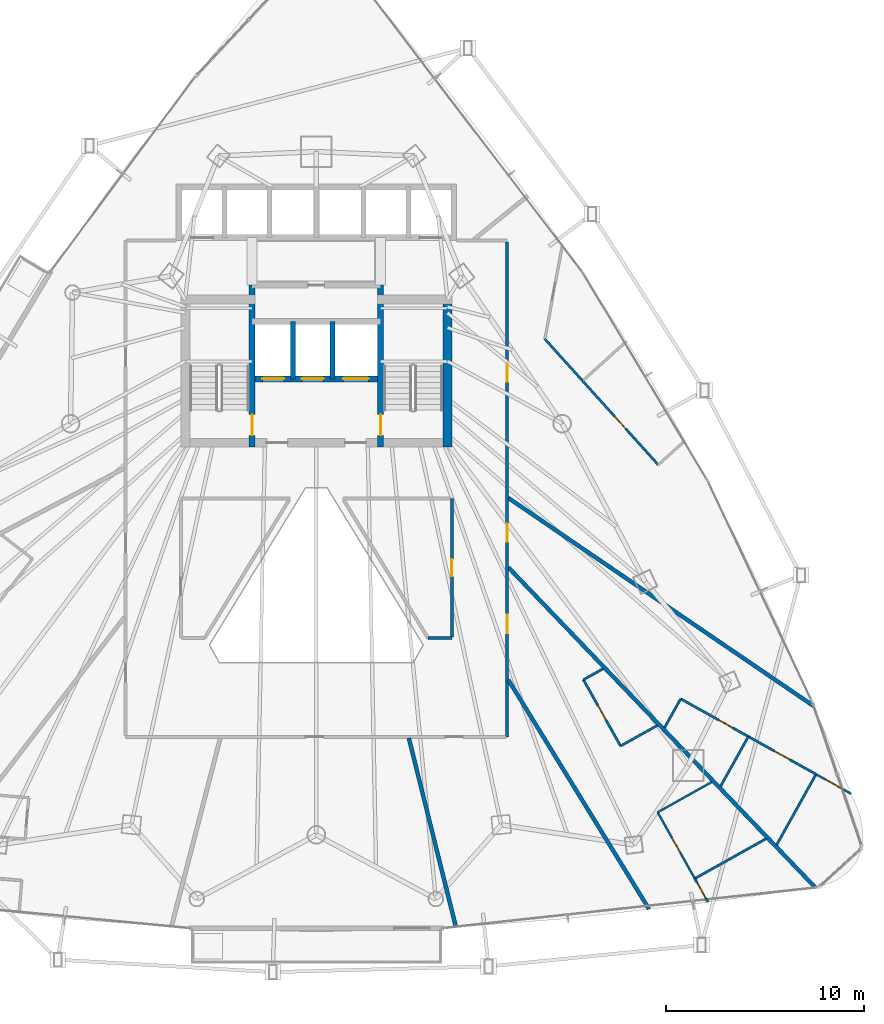
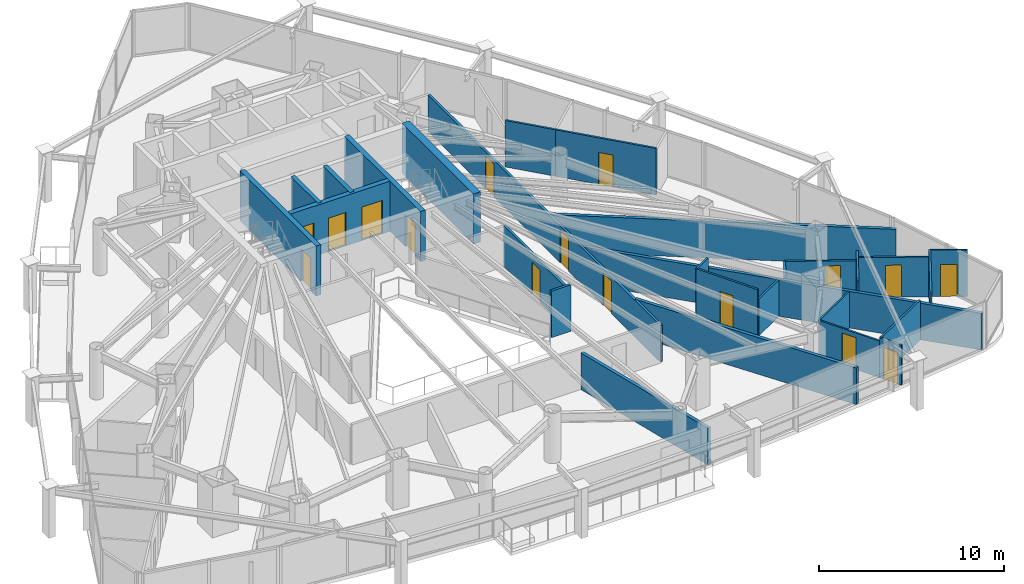
# One storey, part 30 of 34: 28 walls, 16 doors, 16 openings.
"""IFC4 building model written with IfcOpenShell, lengths in metres."""

from ifc_helpers import new_model, si_unit, direction, frame, frame_2d, origin, place, context, subcontext, project, spatial, rectangle, extrude, material, layer, layer_set, type_object, element, fill, save


model = new_model("IFC4")

# Units and contexts
model_context = context("Model", 3, precision=1e-05, world=origin(), true_north=direction((0.0, 1.0)))
body_context = subcontext(model_context, "Body", "Model", "MODEL_VIEW")
ifc_project = project(units=[si_unit("LENGTHUNIT", "METRE"), si_unit("AREAUNIT", "SQUARE_METRE"), si_unit("VOLUMEUNIT", "CUBIC_METRE"), si_unit("PLANEANGLEUNIT", "RADIAN"), si_unit("MASSUNIT", "GRAM", prefix="KILO")], contexts=[model_context])

# Site, building, storey
site_placement = place(None, origin())
site = spatial("IfcSite", under=ifc_project, at=site_placement, CompositionType="ELEMENT")
building_placement = place(site_placement, origin())
building = spatial("IfcBuilding", under=site, at=building_placement, Name="Orvanel Arch Residences", CompositionType="ELEMENT")
storey_placement = place(building_placement, frame((0.0, 0.0, 80.75)))
storey = spatial("IfcBuildingStorey", under=building, at=storey_placement, Name="L22", CompositionType="ELEMENT", Elevation=80.75)

# Walls
ifc_material_1 = material(Name="Concrete N50 (50 MPa)", Category="concrete")
ifc_layer_1 = layer(ifc_material_1, 0.25)
ifc_layer_set_1 = layer_set([ifc_layer_1], Name="Concrete N50 (50 MPa)")
wall_type_1 = type_object("IfcWallType", Name="SW-CORE-250", PredefinedType="SHEAR", material=ifc_layer_set_1)
for number, where, z_axis, x_axis, name in (
    (1, (31.824951171875, 29.89990234375, 0.0), (0.0, 0.0, 1.0), (0.0, 1.0, 0.0), "L22 Emergency Lift Inter-Shaft Wall F12"),
    (2, (33.824951171875, 29.89990234375, 0.0), (0.0, 0.0, 1.0), (0.0, 1.0, 0.0), "L22 Emergency Lift Inter-Shaft Wall F2G"),
):
    element("IfcWall", number, at=place(storey_placement, frame(where, z_axis=z_axis, x_axis=x_axis)), inside=storey, type_object=wall_type_1, Name=name, PredefinedType="SHEAR", context=body_context, shape_type="SweptSolid", body=[
        extrude(rectangle(XDim=2.900146484375, YDim=0.25, at=frame_2d((1.4501953125, 0.0))), origin(), (0.0, 0.0, 1.0), 3.300048828125),
    ])

# Wall, opening, door
ifc_material_2 = material(Name="Concrete S80 (80 MPa)", Category="concrete")
ifc_layer_2 = layer(ifc_material_2, 0.300048828125)
ifc_layer_set_2 = layer_set([ifc_layer_2], Name="Concrete S80 (80 MPa)")
wall_type_2 = type_object("IfcWallType", Name="SW-CORE-300", PredefinedType="SHEAR", material=ifc_layer_set_2)
wall_1_placement = place(storey_placement, frame((29.75, 26.449951171875, 0.0), z_axis=(0.0, 0.0, 1.0), x_axis=(0.0, 1.0, 0.0)))
wall_1 = element("IfcWall", 3, at=wall_1_placement, inside=storey, type_object=wall_type_2, Name="L22 West Inner Core Spine Shear Wall", PredefinedType="SHEAR", context=body_context, shape_type="SweptSolid", body=[
    extrude(rectangle(XDim=8.199951171875, YDim=0.300048828125, at=frame_2d((4.10009765625, 0.0))), origin(), (0.0, 0.0, 1.0), 3.300048828125),
])
opening_1_placement = place(wall_1_placement, frame((0.60009765625, 0.0, 0.0)))
opening_1 = element("IfcOpeningElement", 4, at=opening_1_placement, cuts=wall_1, Name="Opening DF-120", PredefinedType="OPENING", context=body_context, shape_type="SweptSolid", body=[
    extrude(rectangle(XDim=1.050048828125, YDim=2.14990234375, at=frame_2d((0.52490234375, 1.074951171875))), frame((0.0, 0.159912109375, 0.0), z_axis=(0.0, -1.0, 0.0), x_axis=(1.0, 0.0, 0.0)), (0.0, 0.0, 1.0), 0.320068359375),
])
ifc_material_3 = material(Name="Galvanised steel fire-resisting door assembly", Category="steel")
door_type_1 = type_object("IfcDoorType", Name="DR-FD120-1050", OperationType="NOTDEFINED", PredefinedType="DOOR", material=ifc_material_3)
door_1_placement = place(opening_1_placement, origin())
door_1 = element("IfcDoor", 5, at=door_1_placement, inside=storey, type_object=door_type_1, Name="DR-L22-ST1 L22 Stair 1 Fire Door", OperationType="SINGLE_SWING_LEFT", OverallHeight=2.14990234375, OverallWidth=1.050048828125, PredefinedType="DOOR", context=body_context, shape_type="SweptSolid", body=[
    extrude(rectangle(XDim=1.050048828125, YDim=2.14990234375, at=frame_2d((0.52490234375, 1.074951171875))), frame((0.0, 0.02490234375, 0.0), z_axis=(0.0, -1.0, 0.0), x_axis=(1.0, 0.0, 0.0)), (0.0, 0.0, 1.0), 0.050048828125),
])
fill(opening_1, door_1)

wall_2_placement = place(storey_placement, frame((36.25, 26.449951171875, 0.0), z_axis=(0.0, 0.0, 1.0), x_axis=(0.0, 1.0, 0.0)))
wall_2 = element("IfcWall", 6, at=wall_2_placement, inside=storey, type_object=wall_type_2, Name="L22 East Inner Core Spine Shear Wall", PredefinedType="SHEAR", context=body_context, shape_type="SweptSolid", body=[
    extrude(rectangle(XDim=8.199951171875, YDim=0.300048828125, at=frame_2d((4.10009765625, 0.0))), origin(), (0.0, 0.0, 1.0), 3.300048828125),
])
opening_2_placement = place(wall_2_placement, frame((0.60009765625, 0.0, 0.0)))
opening_2 = element("IfcOpeningElement", 7, at=opening_2_placement, cuts=wall_2, Name="Opening DF-120", PredefinedType="OPENING", context=body_context, shape_type="SweptSolid", body=[
    extrude(rectangle(XDim=1.050048828125, YDim=2.14990234375, at=frame_2d((0.52490234375, 1.074951171875))), frame((0.0, 0.159912109375, 0.0), z_axis=(0.0, -1.0, 0.0), x_axis=(1.0, 0.0, 0.0)), (0.0, 0.0, 1.0), 0.320068359375),
])
door_2_placement = place(opening_2_placement, origin())
door_2 = element("IfcDoor", 8, at=door_2_placement, inside=storey, type_object=door_type_1, Name="DR-L22-ST2 L22 Stair 2 Fire Door", OperationType="SINGLE_SWING_RIGHT", OverallHeight=2.14990234375, OverallWidth=1.050048828125, PredefinedType="DOOR", context=body_context, shape_type="SweptSolid", body=[
    extrude(rectangle(XDim=1.050048828125, YDim=2.14990234375, at=frame_2d((0.52490234375, 1.074951171875))), frame((0.0, 0.02490234375, 0.0), z_axis=(0.0, -1.0, 0.0), x_axis=(1.0, 0.0, 0.0)), (0.0, 0.0, 1.0), 0.050048828125),
])
fill(opening_2, door_2)

# Wall, openings, doors
wall_3_placement = place(storey_placement, frame((36.25, 29.89990234375, 0.0), z_axis=(0.0, 0.0, 1.0), x_axis=(-1.0, 0.0, 0.0)))
wall_3 = element("IfcWall", 9, at=wall_3_placement, inside=storey, type_object=wall_type_2, Name="L22 Emergency Lift Front Core Shear Wall", PredefinedType="SHEAR", context=body_context, shape_type="SweptSolid", body=[
    extrude(rectangle(XDim=6.5, YDim=0.300048828125, at=frame_2d((3.25, 0.0))), origin(), (0.0, 0.0, 1.0), 3.300048828125),
])
opening_3_placement = place(wall_3_placement, frame((4.875, 0.0, 0.0)))
opening_3 = element("IfcOpeningElement", 10, at=opening_3_placement, cuts=wall_3, Name="Opening LD-110", PredefinedType="OPENING", context=body_context, shape_type="SweptSolid", body=[
    extrude(rectangle(XDim=1.10009765625, YDim=2.199951171875, at=frame_2d((0.550048828125, 1.10009765625))), frame((0.0, 0.159912109375, 0.0), z_axis=(0.0, -1.0, 0.0), x_axis=(1.0, 0.0, 0.0)), (0.0, 0.0, 1.0), 0.320068359375),
])
opening_4_placement = place(wall_3_placement, frame((2.875, 0.0, 0.0)))
opening_4 = element("IfcOpeningElement", 11, at=opening_4_placement, cuts=wall_3, Name="Opening LD-110", PredefinedType="OPENING", context=body_context, shape_type="SweptSolid", body=[
    extrude(rectangle(XDim=1.10009765625, YDim=2.199951171875, at=frame_2d((0.550048828125, 1.10009765625))), frame((0.0, 0.159912109375, 0.0), z_axis=(0.0, -1.0, 0.0), x_axis=(1.0, 0.0, 0.0)), (0.0, 0.0, 1.0), 0.320068359375),
])
opening_5_placement = place(wall_3_placement, frame((0.60009765625, 0.0, 0.0)))
opening_5 = element("IfcOpeningElement", 12, at=opening_5_placement, cuts=wall_3, Name="Opening LD-130", PredefinedType="OPENING", context=body_context, shape_type="SweptSolid", body=[
    extrude(rectangle(XDim=1.300048828125, YDim=2.199951171875, at=frame_2d((0.64990234375, 1.10009765625))), frame((0.0, 0.159912109375, 0.0), z_axis=(0.0, -1.0, 0.0), x_axis=(1.0, 0.0, 0.0)), (0.0, 0.0, 1.0), 0.320068359375),
])
door_type_2 = type_object("IfcDoorType", Name="DR-LFT-1100", OperationType="NOTDEFINED", PredefinedType="DOOR", material=ifc_material_3)
door_3_placement = place(opening_3_placement, origin())
door_3 = element("IfcDoor", 13, at=door_3_placement, inside=storey, type_object=door_type_2, Name="LD-F1-L22 L22 Lift F1 Sliding Landing Door", OperationType="DOUBLE_DOOR_SLIDING", OverallHeight=2.199951171875, OverallWidth=1.10009765625, PredefinedType="DOOR", context=body_context, shape_type="SweptSolid", body=[
    extrude(rectangle(XDim=1.10009765625, YDim=2.199951171875, at=frame_2d((0.550048828125, 1.10009765625))), frame((0.0, 0.02490234375, 0.0), z_axis=(0.0, -1.0, 0.0), x_axis=(1.0, 0.0, 0.0)), (0.0, 0.0, 1.0), 0.050048828125),
])
fill(opening_3, door_3)
door_4_placement = place(opening_4_placement, origin())
door_4 = element("IfcDoor", 14, at=door_4_placement, inside=storey, type_object=door_type_2, Name="LD-F2-L22 L22 Lift F2 Sliding Landing Door", OperationType="DOUBLE_DOOR_SLIDING", OverallHeight=2.199951171875, OverallWidth=1.10009765625, PredefinedType="DOOR", context=body_context, shape_type="SweptSolid", body=[
    extrude(rectangle(XDim=1.10009765625, YDim=2.199951171875, at=frame_2d((0.550048828125, 1.10009765625))), frame((0.0, 0.02490234375, 0.0), z_axis=(0.0, -1.0, 0.0), x_axis=(1.0, 0.0, 0.0)), (0.0, 0.0, 1.0), 0.050048828125),
])
fill(opening_4, door_4)
door_type_3 = type_object("IfcDoorType", Name="DR-LFT-1300", OperationType="NOTDEFINED", PredefinedType="DOOR", material=ifc_material_3)
door_5_placement = place(opening_5_placement, origin())
door_5 = element("IfcDoor", 15, at=door_5_placement, inside=storey, type_object=door_type_3, Name="LD-G1-L22 L22 Lift G1 Sliding Landing Door", OperationType="DOUBLE_DOOR_SLIDING", OverallHeight=2.199951171875, OverallWidth=1.300048828125, PredefinedType="DOOR", context=body_context, shape_type="SweptSolid", body=[
    extrude(rectangle(XDim=1.300048828125, YDim=2.199951171875, at=frame_2d((0.64990234375, 1.10009765625))), frame((0.0, 0.02490234375, 0.0), z_axis=(0.0, -1.0, 0.0), x_axis=(1.0, 0.0, 0.0)), (0.0, 0.0, 1.0), 0.050048828125),
])
fill(opening_5, door_5)

# Wall
ifc_layer_3 = layer(ifc_material_2, 0.449951171875)
ifc_layer_set_3 = layer_set([ifc_layer_3], Name="Concrete S80 (80 MPa)")
wall_type_3 = type_object("IfcWallType", Name="SW-CORE-450", PredefinedType="SHEAR", material=ifc_layer_set_3)
wall_4_placement = place(storey_placement, frame((39.625, 26.449951171875, 0.0), z_axis=(0.0, 0.0, 1.0), x_axis=(0.0, 1.0, 0.0)))
element("IfcWall", 16, at=wall_4_placement, inside=storey, type_object=wall_type_3, Name="L22 East Stair Shear Wall", PredefinedType="SHEAR", context=body_context, shape_type="SweptSolid", body=[
    extrude(rectangle(XDim=7.699951171875, YDim=0.449951171875, at=frame_2d((3.85009765625, 0.0))), origin(), (0.0, 0.0, 1.0), 3.300048828125),
])

# Wall, openings, doors
ifc_material_4 = material(Name="Fire-rated plasterboard lined steel stud partition", Category="steel")
ifc_layer_4 = layer(ifc_material_4, 0.14990234375)
ifc_layer_set_4 = layer_set([ifc_layer_4], Name="Fire-rated plasterboard lined steel stud partition")
wall_type_4 = type_object("IfcWallType", Name="W-COR-150", PredefinedType="PARTITIONING", material=ifc_layer_set_4)
wall_5_placement = place(storey_placement, frame((42.64990234375, 36.840087890625, 0.0), z_axis=(0.0, 0.0, 1.0), x_axis=(0.0, -1.0, 0.0)))
wall_5 = element("IfcWall", 17, at=wall_5_placement, inside=storey, type_object=wall_type_4, Name="L22 Corridor Fire-Rated Partition", PredefinedType="PARTITIONING", context=body_context, shape_type="SweptSolid", body=[
    extrude(rectangle(XDim=25.0400390625, YDim=0.14990234375, at=frame_2d((12.52001953125, 0.0))), origin(), (0.0, 0.0, 1.0), 2.4130859375),
])
opening_6_placement = place(wall_5_placement, frame((6.1708984375, 0.0, 0.0)))
opening_6 = element("IfcOpeningElement", 18, at=opening_6_placement, cuts=wall_5, Name="Opening DA-092", PredefinedType="OPENING", context=body_context, shape_type="SweptSolid", body=[
    extrude(rectangle(XDim=0.919921875, YDim=2.14990234375, at=frame_2d((0.4599609375, 1.074951171875))), frame((0.0, 0.0849609375, 0.0), z_axis=(0.0, -1.0, 0.0), x_axis=(1.0, 0.0, 0.0)), (0.0, 0.0, 1.0), 0.169921875),
])
opening_7_placement = place(wall_5_placement, frame((14.2490234375, 0.0, 0.0)))
opening_7 = element("IfcOpeningElement", 19, at=opening_7_placement, cuts=wall_5, Name="Opening DA-092", PredefinedType="OPENING", context=body_context, shape_type="SweptSolid", body=[
    extrude(rectangle(XDim=0.919921875, YDim=2.14990234375, at=frame_2d((0.4599609375, 1.074951171875))), frame((0.0, 0.0849609375, 0.0), z_axis=(0.0, -1.0, 0.0), x_axis=(1.0, 0.0, 0.0)), (0.0, 0.0, 1.0), 0.169921875),
])
opening_8_placement = place(wall_5_placement, frame((18.8720703125, 0.0, 0.0)))
opening_8 = element("IfcOpeningElement", 20, at=opening_8_placement, cuts=wall_5, Name="Opening DA-092", PredefinedType="OPENING", context=body_context, shape_type="SweptSolid", body=[
    extrude(rectangle(XDim=0.919921875, YDim=2.14990234375, at=frame_2d((0.4599609375, 1.074951171875))), frame((0.0, 0.0849609375, 0.0), z_axis=(0.0, -1.0, 0.0), x_axis=(1.0, 0.0, 0.0)), (0.0, 0.0, 1.0), 0.169921875),
])
ifc_material_5 = material(Name="Solid-core European oak veneer fire door leaf", Category="wood")
door_type_4 = type_object("IfcDoorType", Name="DR-APT-920", OperationType="NOTDEFINED", PredefinedType="DOOR", material=ifc_material_5)
door_6_placement = place(opening_6_placement, origin())
door_6 = element("IfcDoor", 21, at=door_6_placement, inside=storey, type_object=door_type_4, Name="DR-L22-C-ENT L22 Studio C Entrance Door", OperationType="SINGLE_SWING_RIGHT", OverallHeight=2.14990234375, OverallWidth=0.919921875, PredefinedType="DOOR", context=body_context, shape_type="SweptSolid", body=[
    extrude(rectangle(XDim=0.919921875, YDim=2.14990234375, at=frame_2d((0.4599609375, 1.074951171875))), frame((0.0, 0.02490234375, 0.0), z_axis=(0.0, -1.0, 0.0), x_axis=(1.0, 0.0, 0.0)), (0.0, 0.0, 1.0), 0.050048828125),
])
fill(opening_6, door_6)
door_7_placement = place(opening_7_placement, origin())
door_7 = element("IfcDoor", 22, at=door_7_placement, inside=storey, type_object=door_type_4, Name="DR-L22-F-ENT L22 Flat F Entrance Door", OperationType="SINGLE_SWING_LEFT", OverallHeight=2.14990234375, OverallWidth=0.919921875, PredefinedType="DOOR", context=body_context, shape_type="SweptSolid", body=[
    extrude(rectangle(XDim=0.919921875, YDim=2.14990234375, at=frame_2d((0.4599609375, 1.074951171875))), frame((0.0, 0.02490234375, 0.0), z_axis=(0.0, -1.0, 0.0), x_axis=(1.0, 0.0, 0.0)), (0.0, 0.0, 1.0), 0.050048828125),
])
fill(opening_7, door_7)
door_8_placement = place(opening_8_placement, origin())
door_8 = element("IfcDoor", 23, at=door_8_placement, inside=storey, type_object=door_type_4, Name="DR-L22-G-ENT L22 Studio G Entrance Door", OperationType="SINGLE_SWING_RIGHT", OverallHeight=2.14990234375, OverallWidth=0.919921875, PredefinedType="DOOR", context=body_context, shape_type="SweptSolid", body=[
    extrude(rectangle(XDim=0.919921875, YDim=2.14990234375, at=frame_2d((0.4599609375, 1.074951171875))), frame((0.0, 0.02490234375, 0.0), z_axis=(0.0, -1.0, 0.0), x_axis=(1.0, 0.0, 0.0)), (0.0, 0.0, 1.0), 0.050048828125),
])
fill(opening_8, door_8)

# Wall
wall_6_placement = place(storey_placement, frame((38.64990234375, 16.800048828125, 0.0), z_axis=(0.0, 0.0, 1.0), x_axis=(1.0, 0.0, 0.0)))
element("IfcWall", 24, at=wall_6_placement, inside=storey, type_object=wall_type_4, Name="L22 Corridor Fire-Rated Partition", PredefinedType="PARTITIONING", context=body_context, shape_type="SweptSolid", body=[
    extrude(rectangle(XDim=1.2001953125, YDim=0.14990234375, at=frame_2d((0.60009765625, 0.0))), origin(), (0.0, 0.0, 1.0), 3.06005859375),
])

# Wall, opening, door
wall_7_placement = place(storey_placement, frame((39.85009765625, 16.860107421875, 0.0), z_axis=(0.0, 0.0, 1.0), x_axis=(0.0, 1.0, 0.0)))
wall_7 = element("IfcWall", 25, at=wall_7_placement, inside=storey, type_object=wall_type_4, Name="L22 Corridor Fire-Rated Partition", PredefinedType="PARTITIONING", context=body_context, shape_type="SweptSolid", body=[
    extrude(rectangle(XDim=6.989990234375, YDim=0.14990234375, at=frame_2d((3.4951171875, 0.0))), origin(), (0.0, 0.0, 1.0), 2.6689453125),
])
opening_9_placement = place(wall_7_placement, frame((3.054931640625, 0.0, 0.0)))
opening_9 = element("IfcOpeningElement", 26, at=opening_9_placement, cuts=wall_7, Name="Opening DI-088", PredefinedType="OPENING", context=body_context, shape_type="SweptSolid", body=[
    extrude(rectangle(XDim=0.8798828125, YDim=2.10009765625, at=frame_2d((0.43994140625, 1.050048828125))), frame((0.0, 0.0849609375, 0.0), z_axis=(0.0, -1.0, 0.0), x_axis=(1.0, 0.0, 0.0)), (0.0, 0.0, 1.0), 0.169921875),
])
door_type_5 = type_object("IfcDoorType", Name="DR-INT-880", OperationType="NOTDEFINED", PredefinedType="DOOR", material=ifc_material_5)
door_9_placement = place(opening_9_placement, origin())
door_9 = element("IfcDoor", 27, at=door_9_placement, inside=storey, type_object=door_type_5, Name="DR-L22-SHRD-FB9 L22 Co-Working Study Office I Door", OperationType="SINGLE_SWING_LEFT", OverallHeight=2.10009765625, OverallWidth=0.8798828125, PredefinedType="DOOR", context=body_context, shape_type="SweptSolid", body=[
    extrude(rectangle(XDim=0.8798828125, YDim=2.10009765625, at=frame_2d((0.43994140625, 1.050048828125))), frame((0.0, 0.02490234375, 0.0), z_axis=(0.0, -1.0, 0.0), x_axis=(1.0, 0.0, 0.0)), (0.0, 0.0, 1.0), 0.050048828125),
])
fill(opening_9, door_9)

# Walls
ifc_layer_5 = layer(ifc_material_4, 0.199951171875)
ifc_layer_set_5 = layer_set([ifc_layer_5], Name="Fire-rated plasterboard lined steel stud partition")
wall_type_5 = type_object("IfcWallType", Name="W-DEM-200", PredefinedType="PARTITIONING", material=ifc_layer_set_5)
wall_8_placement = place(storey_placement, frame((58.1650390625, 13.35009765625, 0.0), z_axis=(0.0, 0.0, 1.0), x_axis=(-0.826341659386, 0.563169123766, 0.0)))
element("IfcWall", 28, at=wall_8_placement, inside=storey, type_object=wall_type_5, Name="L22 Inter-Tenancy Acoustic Demising Wall", PredefinedType="PARTITIONING", context=body_context, shape_type="SweptSolid", body=[
    extrude(rectangle(XDim=18.703125, YDim=0.199951171875, at=frame_2d((9.3515625, 0.0))), origin(), (0.0, 0.0, 1.0), 2.4130859375),
])
wall_9_placement = place(storey_placement, frame((37.677001953125, 11.739990234375, 0.0), z_axis=(0.0, 0.0, 1.0), x_axis=(0.241946282122, -0.970289645707, 0.0)))
element("IfcWall", 29, at=wall_9_placement, inside=storey, type_object=wall_type_5, Name="L22 Inter-Tenancy Acoustic Demising Wall", PredefinedType="PARTITIONING", context=body_context, shape_type="SweptSolid", body=[
    extrude(rectangle(XDim=9.845458984375, YDim=0.199951171875, at=frame_2d((4.9228515625, 0.0))), origin(), (0.0, 0.0, 1.0), 2.4130859375),
])
wall_10_placement = place(storey_placement, frame((58.237060546875, 4.178955078125, 0.0), z_axis=(0.0, 0.0, 1.0), x_axis=(-0.69208567792, 0.721815360337, 0.0)))
element("IfcWall", 30, at=wall_10_placement, inside=storey, type_object=wall_type_5, Name="L22 Inter-Tenancy Acoustic Demising Wall", PredefinedType="PARTITIONING", context=body_context, shape_type="SweptSolid", body=[
    extrude(rectangle(XDim=22.435302734375, YDim=0.199951171875, at=frame_2d((11.2177734375, 0.0))), origin(), (0.0, 0.0, 1.0), 2.4130859375),
])
wall_11_placement = place(storey_placement, frame((49.826904296875, 3.090087890625, 0.0), z_axis=(0.0, 0.0, 1.0), x_axis=(-0.523146880199, 0.852242536921, 0.0)))
element("IfcWall", 31, at=wall_11_placement, inside=storey, type_object=wall_type_5, Name="L22 Inter-Tenancy Acoustic Demising Wall", PredefinedType="PARTITIONING", context=body_context, shape_type="SweptSolid", body=[
    extrude(rectangle(XDim=13.60400390625, YDim=0.199951171875, at=frame_2d((6.802001953125, 0.0))), origin(), (0.0, 0.0, 1.0), 2.4130859375),
])

# Wall, opening, door
ifc_material_6 = material(Name="Acoustic plasterboard lined twin-stud partition", Category="gypsum")
ifc_layer_6 = layer(ifc_material_6, 0.10009765625)
ifc_layer_set_6 = layer_set([ifc_layer_6], Name="Acoustic plasterboard lined twin-stud partition")
wall_type_6 = type_object("IfcWallType", Name="W-INT-100", PredefinedType="PARTITIONING", material=ifc_layer_set_6)
wall_12_placement = place(storey_placement, frame((60.0439453125, 8.923095703125, 0.0), z_axis=(0.0, 0.0, 1.0), x_axis=(-0.873680423781, 0.486500274514, 0.0)))
wall_12 = element("IfcWall", 32, at=wall_12_placement, inside=storey, type_object=wall_type_6, Name="L22 Flat F Internal Partition", PredefinedType="PARTITIONING", context=body_context, shape_type="SweptSolid", body=[
    extrude(rectangle(XDim=2.030517578125, YDim=0.10009765625, at=frame_2d((1.01513671875, 0.0))), origin(), (0.0, 0.0, 1.0), 3.06005859375),
])
opening_10_placement = place(wall_12_placement, frame((0.574951171875, 0.0, 0.0)))
opening_10 = element("IfcOpeningElement", 33, at=opening_10_placement, cuts=wall_12, Name="Opening DI-088", PredefinedType="OPENING", context=body_context, shape_type="SweptSolid", body=[
    extrude(rectangle(XDim=0.8798828125, YDim=2.10009765625, at=frame_2d((0.43994140625, 1.050048828125))), frame((0.0, 0.06005859375, 0.0), z_axis=(0.0, -1.0, 0.0), x_axis=(1.0, 0.0, 0.0)), (0.0, 0.0, 1.0), 0.1201171875),
])
door_10_placement = place(opening_10_placement, origin())
door_10 = element("IfcDoor", 34, at=door_10_placement, inside=storey, type_object=door_type_5, Name="DR-L22-F-BED1 L22 Flat F Bedroom 1 Door", OperationType="SINGLE_SWING_LEFT", OverallHeight=2.10009765625, OverallWidth=0.8798828125, PredefinedType="DOOR", context=body_context, shape_type="SweptSolid", body=[
    extrude(rectangle(XDim=0.8798828125, YDim=2.10009765625, at=frame_2d((0.43994140625, 1.050048828125))), frame((0.0, 0.02490234375, 0.0), z_axis=(0.0, -1.0, 0.0), x_axis=(1.0, 0.0, 0.0)), (0.0, 0.0, 1.0), 0.050048828125),
])
fill(opening_10, door_10)

# Wall
wall_13_placement = place(storey_placement, frame((52.9990234375, 9.51904296875, 0.0), z_axis=(0.0, 0.0, 1.0), x_axis=(-0.87247814598, -0.488653133406, 0.0)))
element("IfcWall", 35, at=wall_13_placement, inside=storey, type_object=wall_type_6, Name="L22 Studio G Internal Partition", PredefinedType="PARTITIONING", context=body_context, shape_type="SweptSolid", body=[
    extrude(rectangle(XDim=3.13720703125, YDim=0.10009765625, at=frame_2d((1.568603515625, 0.0))), origin(), (0.0, 0.0, 1.0), 2.4130859375),
])

# Wall, opening, door
wall_14_placement = place(storey_placement, frame((50.261962890625, 7.986083984375, 0.0), z_axis=(0.0, 0.0, 1.0), x_axis=(0.488564666262, -0.872527688317, 0.0)))
wall_14 = element("IfcWall", 36, at=wall_14_placement, inside=storey, type_object=wall_type_6, Name="L22 Studio G Internal Partition", PredefinedType="PARTITIONING", context=body_context, shape_type="SweptSolid", body=[
    extrude(rectangle(XDim=3.841796875, YDim=0.10009765625, at=frame_2d((1.9208984375, 0.0))), origin(), (0.0, 0.0, 1.0), 2.4130859375),
])
opening_11_placement = place(wall_14_placement, frame((1.48095703125, 0.0, 0.0)))
opening_11 = element("IfcOpeningElement", 37, at=opening_11_placement, cuts=wall_14, Name="Opening DI-088", PredefinedType="OPENING", context=body_context, shape_type="SweptSolid", body=[
    extrude(rectangle(XDim=0.8798828125, YDim=2.10009765625, at=frame_2d((0.43994140625, 1.050048828125))), frame((0.0, 0.06005859375, 0.0), z_axis=(0.0, -1.0, 0.0), x_axis=(1.0, 0.0, 0.0)), (0.0, 0.0, 1.0), 0.1201171875),
])
door_11_placement = place(opening_11_placement, origin())
door_11 = element("IfcDoor", 38, at=door_11_placement, inside=storey, type_object=door_type_5, Name="DR-L22-G-DIN1 L22 Studio G Dining Room 1 Door", OperationType="SINGLE_SWING_LEFT", OverallHeight=2.10009765625, OverallWidth=0.8798828125, PredefinedType="DOOR", context=body_context, shape_type="SweptSolid", body=[
    extrude(rectangle(XDim=0.8798828125, YDim=2.10009765625, at=frame_2d((0.43994140625, 1.050048828125))), frame((0.0, 0.02490234375, 0.0), z_axis=(0.0, -1.0, 0.0), x_axis=(1.0, 0.0, 0.0)), (0.0, 0.0, 1.0), 0.050048828125),
])
fill(opening_11, door_11)

ifc_layer_7 = layer(ifc_material_6, 0.1201171875)
ifc_layer_set_7 = layer_set([ifc_layer_7], Name="Acoustic plasterboard lined twin-stud partition")
wall_type_7 = type_object("IfcWallType", Name="W-WET-120", PredefinedType="PARTITIONING", material=ifc_layer_set_7)
wall_15_placement = place(storey_placement, frame((46.466064453125, 29.802978515625, 0.0), z_axis=(0.0, 0.0, 1.0), x_axis=(0.669491047861, -0.742820124144, 0.0)))
wall_15 = element("IfcWall", 39, at=wall_15_placement, inside=storey, type_object=wall_type_7, Name="L22 Studio C Bathroom Partition", PredefinedType="PARTITIONING", context=body_context, shape_type="SweptSolid", body=[
    extrude(rectangle(XDim=5.713134765625, YDim=0.1201171875, at=frame_2d((2.8564453125, 0.0))), origin(), (0.0, 0.0, 1.0), 3.06005859375),
])
opening_12_placement = place(wall_15_placement, frame((2.447021484375, 0.0, 0.0)))
opening_12 = element("IfcOpeningElement", 40, at=opening_12_placement, cuts=wall_15, Name="Opening DW-082", PredefinedType="OPENING", context=body_context, shape_type="SweptSolid", body=[
    extrude(rectangle(XDim=0.820068359375, YDim=2.10009765625, at=frame_2d((0.41015625, 1.050048828125))), frame((0.0, 0.070068359375, 0.0), z_axis=(0.0, -1.0, 0.0), x_axis=(1.0, 0.0, 0.0)), (0.0, 0.0, 1.0), 0.14013671875),
])
door_type_6 = type_object("IfcDoorType", Name="DR-WET-820", OperationType="NOTDEFINED", PredefinedType="DOOR", material=ifc_material_5)
door_12_placement = place(opening_12_placement, origin())
door_12 = element("IfcDoor", 41, at=door_12_placement, inside=storey, type_object=door_type_6, Name="DR-L22-C-BATH L22 Studio C Bathroom Door", OperationType="SINGLE_SWING_RIGHT", OverallHeight=2.10009765625, OverallWidth=0.820068359375, PredefinedType="DOOR", context=body_context, shape_type="SweptSolid", body=[
    extrude(rectangle(XDim=0.820068359375, YDim=2.10009765625, at=frame_2d((0.41015625, 1.050048828125))), frame((0.0, 0.02490234375, 0.0), z_axis=(0.0, -1.0, 0.0), x_axis=(1.0, 0.0, 0.0)), (0.0, 0.0, 1.0), 0.050048828125),
])
fill(opening_12, door_12)

# Wall
wall_16_placement = place(storey_placement, frame((44.55810546875, 31.9189453125, 0.0), z_axis=(0.0, 0.0, 1.0), x_axis=(0.669660366513, -0.742667485165, 0.0)))
element("IfcWall", 42, at=wall_16_placement, inside=storey, type_object=wall_type_7, Name="L22 Studio C Internal Partition", PredefinedType="PARTITIONING", context=body_context, shape_type="SweptSolid", body=[
    extrude(rectangle(XDim=2.84912109375, YDim=0.1201171875, at=frame_2d((1.424560546875, 0.0))), origin(), (0.0, 0.0, 1.0), 3.06005859375),
])

# Wall, opening, door
wall_17_placement = place(storey_placement, frame((54.846923828125, 11.818115234375, 0.0), z_axis=(0.0, 0.0, 1.0), x_axis=(-0.87346578699, 0.486885529624, 0.0)))
wall_17 = element("IfcWall", 43, at=wall_17_placement, inside=storey, type_object=wall_type_7, Name="L22 Flat F Bathroom Partition", PredefinedType="PARTITIONING", context=body_context, shape_type="SweptSolid", body=[
    extrude(rectangle(XDim=3.918701171875, YDim=0.1201171875, at=frame_2d((1.95947265625, 0.0))), origin(), (0.0, 0.0, 1.0), 2.4130859375),
])
opening_13_placement = place(wall_17_placement, frame((0.909912109375, 0.0, 0.0)))
opening_13 = element("IfcOpeningElement", 44, at=opening_13_placement, cuts=wall_17, Name="Opening DW-082", PredefinedType="OPENING", context=body_context, shape_type="SweptSolid", body=[
    extrude(rectangle(XDim=0.820068359375, YDim=2.10009765625, at=frame_2d((0.41015625, 1.050048828125))), frame((0.0, 0.070068359375, 0.0), z_axis=(0.0, -1.0, 0.0), x_axis=(1.0, 0.0, 0.0)), (0.0, 0.0, 1.0), 0.14013671875),
])
door_13_placement = place(opening_13_placement, origin())
door_13 = element("IfcDoor", 45, at=door_13_placement, inside=storey, type_object=door_type_6, Name="DR-L22-F-BATH L22 Flat F Bathroom Door", OperationType="SINGLE_SWING_RIGHT", OverallHeight=2.10009765625, OverallWidth=0.820068359375, PredefinedType="DOOR", context=body_context, shape_type="SweptSolid", body=[
    extrude(rectangle(XDim=0.820068359375, YDim=2.10009765625, at=frame_2d((0.41015625, 1.050048828125))), frame((0.0, 0.02490234375, 0.0), z_axis=(0.0, -1.0, 0.0), x_axis=(1.0, 0.0, 0.0)), (0.0, 0.0, 1.0), 0.050048828125),
])
fill(opening_13, door_13)

# Wall
wall_18_placement = place(storey_placement, frame((51.424072265625, 13.72607421875, 0.0), z_axis=(0.0, 0.0, 1.0), x_axis=(-0.486605473044, -0.873621836726, 0.0)))
element("IfcWall", 46, at=wall_18_placement, inside=storey, type_object=wall_type_7, Name="L22 Flat F Bathroom Partition", PredefinedType="PARTITIONING", context=body_context, shape_type="SweptSolid", body=[
    extrude(rectangle(XDim=1.67919921875, YDim=0.1201171875, at=frame_2d((0.839599609375, 0.0))), origin(), (0.0, 0.0, 1.0), 2.4130859375),
])

# Wall, opening, door
wall_19_placement = place(storey_placement, frame((58.27001953125, 9.910888671875, 0.0), z_axis=(0.0, 0.0, 1.0), x_axis=(-0.873560029318, 0.486716421727, 0.0)))
wall_19 = element("IfcWall", 47, at=wall_19_placement, inside=storey, type_object=wall_type_7, Name="L22 Flat F Internal Partition", PredefinedType="PARTITIONING", context=body_context, shape_type="SweptSolid", body=[
    extrude(rectangle(XDim=3.91845703125, YDim=0.1201171875, at=frame_2d((1.959228515625, 0.0))), origin(), (0.0, 0.0, 1.0), 2.618896484375),
])
opening_14_placement = place(wall_19_placement, frame((1.51904296875, 0.0, 0.0)))
opening_14 = element("IfcOpeningElement", 48, at=opening_14_placement, cuts=wall_19, Name="Opening DI-088", PredefinedType="OPENING", context=body_context, shape_type="SweptSolid", body=[
    extrude(rectangle(XDim=0.8798828125, YDim=2.10009765625, at=frame_2d((0.43994140625, 1.050048828125))), frame((0.0, 0.070068359375, 0.0), z_axis=(0.0, -1.0, 0.0), x_axis=(1.0, 0.0, 0.0)), (0.0, 0.0, 1.0), 0.14013671875),
])
door_14_placement = place(opening_14_placement, origin())
door_14 = element("IfcDoor", 49, at=door_14_placement, inside=storey, type_object=door_type_5, Name="DR-L22-F-KIT L22 Flat F Kitchen Door", OperationType="SINGLE_SWING_LEFT", OverallHeight=2.10009765625, OverallWidth=0.8798828125, PredefinedType="DOOR", context=body_context, shape_type="SweptSolid", body=[
    extrude(rectangle(XDim=0.8798828125, YDim=2.10009765625, at=frame_2d((0.43994140625, 1.050048828125))), frame((0.0, 0.02490234375, 0.0), z_axis=(0.0, -1.0, 0.0), x_axis=(1.0, 0.0, 0.0)), (0.0, 0.0, 1.0), 0.050048828125),
])
fill(opening_14, door_14)

# Walls
wall_20_placement = place(storey_placement, frame((54.846923828125, 11.818115234375, 0.0), z_axis=(0.0, 0.0, 1.0), x_axis=(-0.486822226103, -0.873501070504, 0.0)))
element("IfcWall", 50, at=wall_20_placement, inside=storey, type_object=wall_type_7, Name="L22 Flat F Bathroom Partition", PredefinedType="PARTITIONING", context=body_context, shape_type="SweptSolid", body=[
    extrude(rectangle(XDim=2.881591796875, YDim=0.1201171875, at=frame_2d((1.44091796875, 0.0))), origin(), (0.0, 0.0, 1.0), 3.06005859375),
])
wall_21_placement = place(storey_placement, frame((58.27001953125, 9.910888671875, 0.0), z_axis=(0.0, 0.0, 1.0), x_axis=(-0.486824622959, -0.873499734677, 0.0)))
element("IfcWall", 51, at=wall_21_placement, inside=storey, type_object=wall_type_7, Name="L22 Flat F Internal Partition", PredefinedType="PARTITIONING", context=body_context, shape_type="SweptSolid", body=[
    extrude(rectangle(XDim=4.085693359375, YDim=0.1201171875, at=frame_2d((2.04296875, 0.0))), origin(), (0.0, 0.0, 1.0), 3.06005859375),
])
wall_22_placement = place(storey_placement, frame((47.5048828125, 15.2490234375, 0.0), z_axis=(0.0, 0.0, 1.0), x_axis=(-0.872914025969, -0.487874064967, 0.0)))
element("IfcWall", 52, at=wall_22_placement, inside=storey, type_object=wall_type_7, Name="L22 Studio G Bathroom Partition", PredefinedType="PARTITIONING", context=body_context, shape_type="SweptSolid", body=[
    extrude(rectangle(XDim=1.141845703125, YDim=0.1201171875, at=frame_2d((0.57080078125, 0.0))), origin(), (0.0, 0.0, 1.0), 3.06005859375),
])

# Wall, opening, door
wall_23_placement = place(storey_placement, frame((46.508056640625, 14.69189453125, 0.0), z_axis=(0.0, 0.0, 1.0), x_axis=(0.488483407483, -0.872573183529, 0.0)))
wall_23 = element("IfcWall", 53, at=wall_23_placement, inside=storey, type_object=wall_type_7, Name="L22 Studio G Bathroom Partition", PredefinedType="PARTITIONING", context=body_context, shape_type="SweptSolid", body=[
    extrude(rectangle(XDim=3.842529296875, YDim=0.1201171875, at=frame_2d((1.92138671875, 0.0))), origin(), (0.0, 0.0, 1.0), 3.06005859375),
])
opening_15_placement = place(wall_23_placement, frame((1.510986328125, 0.0, 0.0)))
opening_15 = element("IfcOpeningElement", 54, at=opening_15_placement, cuts=wall_23, Name="Opening DW-082", PredefinedType="OPENING", context=body_context, shape_type="SweptSolid", body=[
    extrude(rectangle(XDim=0.820068359375, YDim=2.10009765625, at=frame_2d((0.41015625, 1.050048828125))), frame((0.0, 0.070068359375, 0.0), z_axis=(0.0, -1.0, 0.0), x_axis=(1.0, 0.0, 0.0)), (0.0, 0.0, 1.0), 0.14013671875),
])
door_15_placement = place(opening_15_placement, origin())
door_15 = element("IfcDoor", 55, at=door_15_placement, inside=storey, type_object=door_type_6, Name="DR-L22-G-BATH L22 Studio G Bathroom Door", OperationType="SINGLE_SWING_RIGHT", OverallHeight=2.10009765625, OverallWidth=0.820068359375, PredefinedType="DOOR", context=body_context, shape_type="SweptSolid", body=[
    extrude(rectangle(XDim=0.820068359375, YDim=2.10009765625, at=frame_2d((0.41015625, 1.050048828125))), frame((0.0, 0.02490234375, 0.0), z_axis=(0.0, -1.0, 0.0), x_axis=(1.0, 0.0, 0.0)), (0.0, 0.0, 1.0), 0.050048828125),
])
fill(opening_15, door_15)

# Wall
wall_24_placement = place(storey_placement, frame((48.385009765625, 11.339111328125, 0.0), z_axis=(0.0, 0.0, 1.0), x_axis=(0.872618854318, 0.488401817246, 0.0)))
element("IfcWall", 56, at=wall_24_placement, inside=storey, type_object=wall_type_7, Name="L22 Studio G Bathroom Partition", PredefinedType="PARTITIONING", context=body_context, shape_type="SweptSolid", body=[
    extrude(rectangle(XDim=2.139404296875, YDim=0.1201171875, at=frame_2d((1.06982421875, 0.0))), origin(), (0.0, 0.0, 1.0), 2.4130859375),
])

# Wall, opening, door
wall_25_placement = place(storey_placement, frame((52.138916015625, 4.634033203125, 0.0), z_axis=(0.0, 0.0, 1.0), x_axis=(0.488778203453, -0.872408085605, 0.0)))
wall_25 = element("IfcWall", 57, at=wall_25_placement, inside=storey, type_object=wall_type_7, Name="L22 Studio G Internal Partition", PredefinedType="PARTITIONING", context=body_context, shape_type="SweptSolid", body=[
    extrude(rectangle(XDim=1.360595703125, YDim=0.1201171875, at=frame_2d((0.68017578125, 0.0))), origin(), (0.0, 0.0, 1.0), 2.618896484375),
])
opening_16_placement = place(wall_25_placement, frame((0.239990234375, 0.0, 0.0)))
opening_16 = element("IfcOpeningElement", 58, at=opening_16_placement, cuts=wall_25, Name="Opening DI-088", PredefinedType="OPENING", context=body_context, shape_type="SweptSolid", body=[
    extrude(rectangle(XDim=0.8798828125, YDim=2.10009765625, at=frame_2d((0.43994140625, 1.050048828125))), frame((0.0, 0.070068359375, 0.0), z_axis=(0.0, -1.0, 0.0), x_axis=(1.0, 0.0, 0.0)), (0.0, 0.0, 1.0), 0.14013671875),
])
door_16_placement = place(opening_16_placement, origin())
door_16 = element("IfcDoor", 59, at=door_16_placement, inside=storey, type_object=door_type_5, Name="DR-L22-G-KIT L22 Studio G Kitchenette Door", OperationType="SINGLE_SWING_LEFT", OverallHeight=2.10009765625, OverallWidth=0.8798828125, PredefinedType="DOOR", context=body_context, shape_type="SweptSolid", body=[
    extrude(rectangle(XDim=0.8798828125, YDim=2.10009765625, at=frame_2d((0.43994140625, 1.050048828125))), frame((0.0, 0.02490234375, 0.0), z_axis=(0.0, -1.0, 0.0), x_axis=(1.0, 0.0, 0.0)), (0.0, 0.0, 1.0), 0.050048828125),
])
fill(opening_16, door_16)

# Wall
wall_26_placement = place(storey_placement, frame((52.138916015625, 4.634033203125, 0.0), z_axis=(0.0, 0.0, 1.0), x_axis=(0.87266304729, 0.488322850064, 0.0)))
element("IfcWall", 60, at=wall_26_placement, inside=storey, type_object=wall_type_7, Name="L22 Studio G Internal Partition", PredefinedType="PARTITIONING", context=body_context, shape_type="SweptSolid", body=[
    extrude(rectangle(XDim=4.134765625, YDim=0.1201171875, at=frame_2d((2.0673828125, 0.0))), origin(), (0.0, 0.0, 1.0), 2.618896484375),
])

save(model, "model.ifc")
